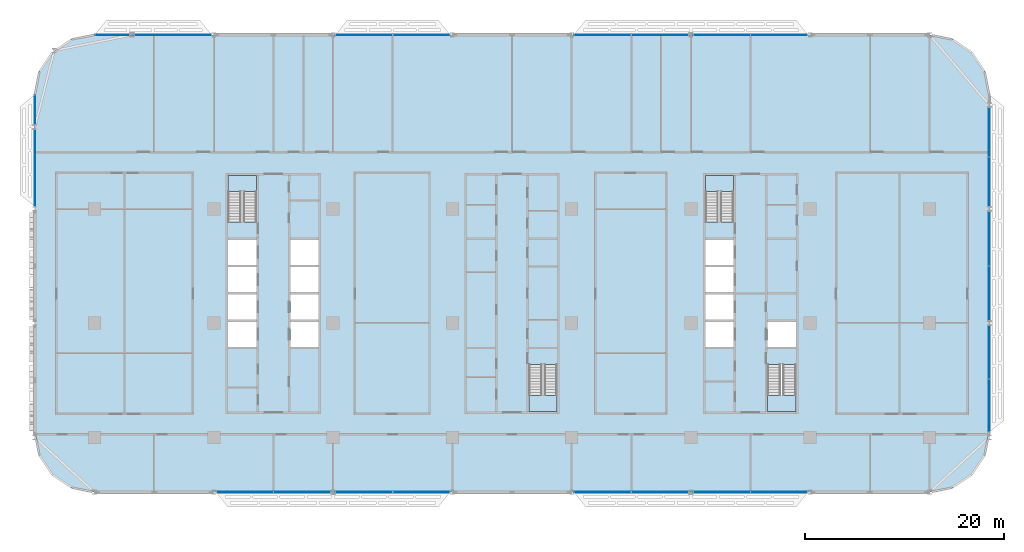
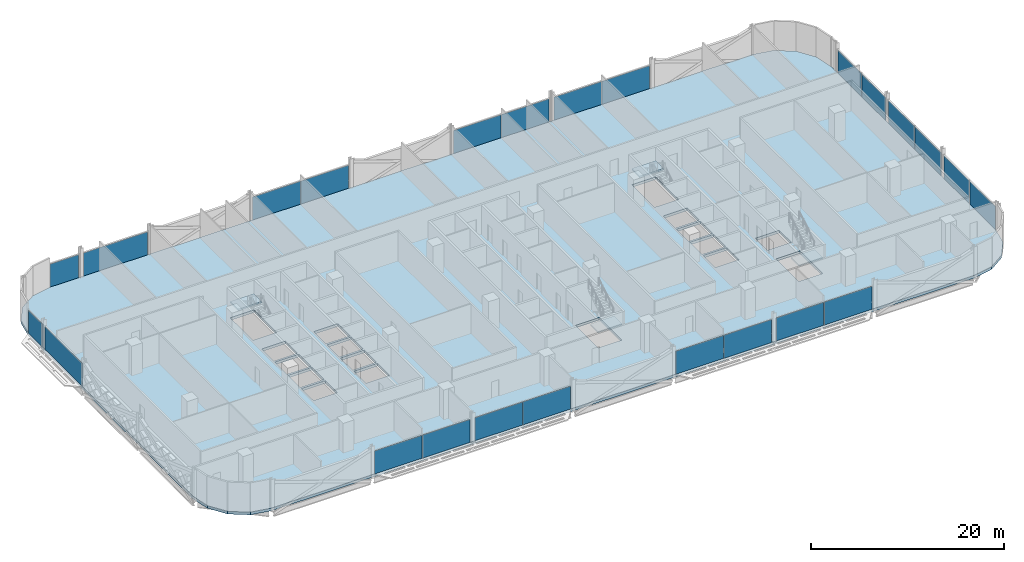
# One storey, part 11 of 28: 24 plates, 5 slabs, 18 elements without a shape of their own.
"""IFC4 building model written with IfcOpenShell, lengths in metres."""

from ifc_helpers import new_model, si_unit, direction, frame, origin, origin_2d, place, context, subcontext, project, spatial, polyline, rectangle, outline, extrude, material, layer, layer_set, type_object, element, aggregate, save


model = new_model("IFC4")

# Units and contexts
model_context = context("Model", 3, precision=1e-05, world=origin(), true_north=direction((0.0, 1.0)))
body_context = subcontext(model_context, "Body", "Model", "MODEL_VIEW")
ifc_project = project(units=[si_unit("LENGTHUNIT", "METRE"), si_unit("AREAUNIT", "SQUARE_METRE"), si_unit("VOLUMEUNIT", "CUBIC_METRE"), si_unit("PLANEANGLEUNIT", "RADIAN"), si_unit("MASSUNIT", "GRAM", prefix="KILO")], contexts=[model_context])

# Site, building, storey
site_placement = place(None, origin())
site = spatial("IfcSite", under=ifc_project, at=site_placement, CompositionType="ELEMENT")
building_placement = place(site_placement, origin())
building = spatial("IfcBuilding", under=site, at=building_placement, Name="Mahtab Terrace Research Tower", CompositionType="ELEMENT")
storey_placement = place(building_placement, frame((0.0, 0.0, 134.300048828125)))
storey = spatial("IfcBuildingStorey", under=building, at=storey_placement, Name="L31", CompositionType="ELEMENT", Elevation=134.300048828125)

# Stair, slab
ifc_material_1 = material(Name="Exit stair half-turn")
stair_type = type_object("IfcStairType", Name="Exit stair half-turn", PredefinedType="HALF_TURN_STAIR", material=ifc_material_1)
stair_1_placement = place(storey_placement, origin())
stair_1 = element("IfcStair", 1, at=stair_1_placement, inside=storey, type_object=stair_type, Name="L31 Protected exit stair ST1", PredefinedType="HALF_TURN_STAIR")
ifc_material_2 = material(Name="Concrete C40/50", Category="concrete")
ifc_layer_1 = layer(ifc_material_2, 0.199951171875)
ifc_layer_set_1 = layer_set([ifc_layer_1], Name="Exit stair landing 200")
slab_type_1 = type_object("IfcSlabType", Name="Exit stair landing 200", PredefinedType="LANDING", material=ifc_layer_set_1)
slab_1_placement = place(storey_placement, frame((0.0, 0.0, 1.849853515625)))
slab_1 = element("IfcSlab", 2, at=slab_1_placement, type_object=slab_type_1, Name="ST1 landing 1", PredefinedType="LANDING", context=body_context, shape_type="SweptSolid", body=[
    extrude(outline(polyline([(-25.699951171875, 13.2548828125), (-25.699951171875, 14.875), (-28.550048828125, 14.875), (-28.550048828125, 13.2548828125), (-25.699951171875, 13.2548828125)])), origin(), (0.0, 0.0, 1.0), 0.2001953125),
])
aggregate(stair_1, [slab_1])

stair_2_placement = place(storey_placement, origin())
stair_2 = element("IfcStair", 3, at=stair_2_placement, inside=storey, type_object=stair_type, Name="L31 Protected exit stair ST2", PredefinedType="HALF_TURN_STAIR")
slab_2_placement = place(storey_placement, frame((0.0, 0.0, 1.849853515625)))
slab_2 = element("IfcSlab", 4, at=slab_2_placement, type_object=slab_type_1, Name="ST2 landing 1", PredefinedType="LANDING", context=body_context, shape_type="SweptSolid", body=[
    extrude(outline(polyline([(1.699951171875, -7.2548828125), (1.699951171875, -8.875), (4.550048828125, -8.875), (4.550048828125, -7.2548828125), (1.699951171875, -7.2548828125)])), origin(), (0.0, 0.0, 1.0), 0.2001953125),
])
aggregate(stair_2, [slab_2])

stair_3_placement = place(storey_placement, origin())
stair_3 = element("IfcStair", 5, at=stair_3_placement, inside=storey, type_object=stair_type, Name="L31 Protected exit stair ST3", PredefinedType="HALF_TURN_STAIR")
slab_3_placement = place(storey_placement, frame((0.0, 0.0, 1.849853515625)))
slab_3 = element("IfcSlab", 6, at=slab_3_placement, type_object=slab_type_1, Name="ST3 landing 1", PredefinedType="LANDING", context=body_context, shape_type="SweptSolid", body=[
    extrude(outline(polyline([(22.300048828125, 13.2548828125), (22.300048828125, 14.875), (19.449951171875, 14.875), (19.449951171875, 13.2548828125), (22.300048828125, 13.2548828125)])), origin(), (0.0, 0.0, 1.0), 0.2001953125),
])
aggregate(stair_3, [slab_3])

stair_4_placement = place(storey_placement, origin())
stair_4 = element("IfcStair", 7, at=stair_4_placement, inside=storey, type_object=stair_type, Name="L31 Protected exit stair ST4", PredefinedType="HALF_TURN_STAIR")
slab_4_placement = place(storey_placement, frame((0.0, 0.0, 1.849853515625)))
slab_4 = element("IfcSlab", 8, at=slab_4_placement, type_object=slab_type_1, Name="ST4 landing 1", PredefinedType="LANDING", context=body_context, shape_type="SweptSolid", body=[
    extrude(outline(polyline([(25.699951171875, -7.2548828125), (25.699951171875, -8.875), (28.550048828125, -8.875), (28.550048828125, -7.2548828125), (25.699951171875, -7.2548828125)])), origin(), (0.0, 0.0, 1.0), 0.2001953125),
])
aggregate(stair_4, [slab_4])

# Curtain wall, plates
ifc_material_3 = material(Name="Laboratory ribbon curtain wall")
curtain_wall_type = type_object("IfcCurtainWallType", Name="Laboratory ribbon curtain wall", PredefinedType="NOTDEFINED", material=ifc_material_3)
curtain_wall_1_placement = place(storey_placement, origin())
curtain_wall_1 = element("IfcCurtainWall", 9, at=curtain_wall_1_placement, inside=storey, type_object=curtain_wall_type, Name="EN.L31.3.4", PredefinedType="NOTDEFINED")
ifc_material_4 = material(Name="Dark glazing", Category="glass")
ifc_layer_2 = layer(ifc_material_4, 0.031982421875)
ifc_layer_set_2 = layer_set([ifc_layer_2], Name="Laboratory ribbon curtain wall glazing panel")
plate_type = type_object("IfcPlateType", Name="Laboratory ribbon curtain wall glazing panel", PredefinedType="CURTAIN_PANEL", material=ifc_layer_set_2)
plate_1_placement = place(storey_placement, frame((26.874755859375, 29.0, 0.0), z_axis=(0.0, 0.0, 1.0), x_axis=(-1.0, 0.0, 0.0)))
plate_1 = element("IfcPlate", 10, at=plate_1_placement, type_object=plate_type, Name="CWL-4 panel 1", PredefinedType="CURTAIN_PANEL", context=body_context, shape_type="SweptSolid", body=[
    extrude(rectangle(XDim=5.6845703125, YDim=0.031982421875, at=origin_2d()), origin(), (0.0, 0.0, 1.0), 2.903076171875),
])
plate_2_placement = place(storey_placement, frame((21.125244140625, 29.0, 0.0), z_axis=(0.0, 0.0, 1.0), x_axis=(-1.0, 0.0, 0.0)))
plate_2 = element("IfcPlate", 11, at=plate_2_placement, type_object=plate_type, Name="CWL-4 panel 2", PredefinedType="CURTAIN_PANEL", context=body_context, shape_type="SweptSolid", body=[
    extrude(rectangle(XDim=5.6845703125, YDim=0.031982421875, at=origin_2d()), origin(), (0.0, 0.0, 1.0), 2.903076171875),
])
aggregate(curtain_wall_1, [plate_1, plate_2])

curtain_wall_2_placement = place(storey_placement, origin())
curtain_wall_2 = element("IfcCurtainWall", 12, at=curtain_wall_2_placement, inside=storey, type_object=curtain_wall_type, Name="EN.L31.3.5", PredefinedType="NOTDEFINED")
plate_3_placement = place(storey_placement, frame((14.874755859375, 29.0, 0.0), z_axis=(0.0, 0.0, 1.0), x_axis=(-1.0, 0.0, 0.0)))
plate_3 = element("IfcPlate", 13, at=plate_3_placement, type_object=plate_type, Name="CWL-4 panel 1", PredefinedType="CURTAIN_PANEL", context=body_context, shape_type="SweptSolid", body=[
    extrude(rectangle(XDim=5.6845703125, YDim=0.031982421875, at=origin_2d()), origin(), (0.0, 0.0, 1.0), 2.903076171875),
])
plate_4_placement = place(storey_placement, frame((9.125244140625, 29.0, 0.0), z_axis=(0.0, 0.0, 1.0), x_axis=(-1.0, 0.0, 0.0)))
plate_4 = element("IfcPlate", 14, at=plate_4_placement, type_object=plate_type, Name="CWL-4 panel 2", PredefinedType="CURTAIN_PANEL", context=body_context, shape_type="SweptSolid", body=[
    extrude(rectangle(XDim=5.6845703125, YDim=0.031982421875, at=origin_2d()), origin(), (0.0, 0.0, 1.0), 2.903076171875),
])
aggregate(curtain_wall_2, [plate_3, plate_4])

curtain_wall_3_placement = place(storey_placement, origin())
curtain_wall_3 = element("IfcCurtainWall", 15, at=curtain_wall_3_placement, inside=storey, type_object=curtain_wall_type, Name="EN.L31.3.7", PredefinedType="NOTDEFINED")
plate_5_placement = place(storey_placement, frame((-9.125244140625, 29.0, 0.0), z_axis=(0.0, 0.0, 1.0), x_axis=(-1.0, 0.0, 0.0)))
plate_5 = element("IfcPlate", 16, at=plate_5_placement, type_object=plate_type, Name="CWL-4 panel 1", PredefinedType="CURTAIN_PANEL", context=body_context, shape_type="SweptSolid", body=[
    extrude(rectangle(XDim=5.6845703125, YDim=0.031982421875, at=origin_2d()), origin(), (0.0, 0.0, 1.0), 2.903076171875),
])
plate_6_placement = place(storey_placement, frame((-14.874755859375, 29.0, 0.0), z_axis=(0.0, 0.0, 1.0), x_axis=(-1.0, 0.0, 0.0)))
plate_6 = element("IfcPlate", 17, at=plate_6_placement, type_object=plate_type, Name="CWL-4 panel 2", PredefinedType="CURTAIN_PANEL", context=body_context, shape_type="SweptSolid", body=[
    extrude(rectangle(XDim=5.6845703125, YDim=0.031982421875, at=origin_2d()), origin(), (0.0, 0.0, 1.0), 2.903076171875),
])
aggregate(curtain_wall_3, [plate_5, plate_6])

# Curtain wall, plate
curtain_wall_4_placement = place(storey_placement, origin())
curtain_wall_4 = element("IfcCurtainWall", 18, at=curtain_wall_4_placement, inside=storey, type_object=curtain_wall_type, Name="EN.L31.3.9", PredefinedType="NOTDEFINED")
plate_7_placement = place(storey_placement, frame((-34.115478515625, 29.0, 0.0), z_axis=(0.0, 0.0, 1.0), x_axis=(-1.0, 0.0, 0.0)))
plate_7 = element("IfcPlate", 19, at=plate_7_placement, type_object=plate_type, Name="CWL-4 panel 1", PredefinedType="CURTAIN_PANEL", context=body_context, shape_type="SweptSolid", body=[
    extrude(rectangle(XDim=7.6650390625, YDim=0.031982421875, at=origin_2d()), origin(), (0.0, 0.0, 1.0), 2.903076171875),
])
aggregate(curtain_wall_4, [plate_7])

curtain_wall_5_placement = place(storey_placement, origin())
curtain_wall_5 = element("IfcCurtainWall", 20, at=curtain_wall_5_placement, inside=storey, type_object=curtain_wall_type, Name="EN.L31.3.10", PredefinedType="NOTDEFINED")
plate_8_placement = place(storey_placement, frame((-40.224609375, 29.0, 0.0), z_axis=(0.0, 0.0, 1.0), x_axis=(-1.0, 0.0, 0.0)))
plate_8 = element("IfcPlate", 21, at=plate_8_placement, type_object=plate_type, Name="CWL-4 panel 1", PredefinedType="CURTAIN_PANEL", context=body_context, shape_type="SweptSolid", body=[
    extrude(rectangle(XDim=3.4208984375, YDim=0.031982421875, at=origin_2d()), origin(), (0.0, 0.0, 1.0), 2.903076171875),
])
aggregate(curtain_wall_5, [plate_8])

curtain_wall_6_placement = place(storey_placement, origin())
curtain_wall_6 = element("IfcCurtainWall", 22, at=curtain_wall_6_placement, inside=storey, type_object=curtain_wall_type, Name="EN.L31.8.15", PredefinedType="NOTDEFINED")
plate_9_placement = place(storey_placement, frame((-48.0, 21.474609375, 0.0), z_axis=(0.0, 0.0, 1.0), x_axis=(0.0, -1.0, 0.0)))
plate_9 = element("IfcPlate", 23, at=plate_9_placement, type_object=plate_type, Name="CWL-4 panel 1", PredefinedType="CURTAIN_PANEL", context=body_context, shape_type="SweptSolid", body=[
    extrude(rectangle(XDim=2.9208984375, YDim=0.031982421875, at=origin_2d()), origin(), (0.0, 0.0, 1.0), 2.903076171875),
])
aggregate(curtain_wall_6, [plate_9])

curtain_wall_7_placement = place(storey_placement, origin())
curtain_wall_7 = element("IfcCurtainWall", 24, at=curtain_wall_7_placement, inside=storey, type_object=curtain_wall_type, Name="EN.L31.8.16", PredefinedType="NOTDEFINED")
plate_10_placement = place(storey_placement, frame((-48.0, 15.615478515625, 0.0), z_axis=(0.0, 0.0, 1.0), x_axis=(0.0, -1.0, 0.0)))
plate_10 = element("IfcPlate", 25, at=plate_10_placement, type_object=plate_type, Name="CWL-4 panel 1", PredefinedType="CURTAIN_PANEL", context=body_context, shape_type="SweptSolid", body=[
    extrude(rectangle(XDim=7.6650390625, YDim=0.031982421875, at=origin_2d()), origin(), (0.0, 0.0, 1.0), 2.903076171875),
])
aggregate(curtain_wall_7, [plate_10])

# Curtain wall, plates
curtain_wall_8_placement = place(storey_placement, origin())
curtain_wall_8 = element("IfcCurtainWall", 26, at=curtain_wall_8_placement, inside=storey, type_object=curtain_wall_type, Name="EN.L31.13.25", PredefinedType="NOTDEFINED")
plate_11_placement = place(storey_placement, frame((-26.874755859375, -17.0, 0.0), z_axis=(0.0, 0.0, 1.0), x_axis=(1.0, 0.0, 0.0)))
plate_11 = element("IfcPlate", 27, at=plate_11_placement, type_object=plate_type, Name="CWL-4 panel 1", PredefinedType="CURTAIN_PANEL", context=body_context, shape_type="SweptSolid", body=[
    extrude(rectangle(XDim=5.6845703125, YDim=0.031982421875, at=origin_2d()), origin(), (0.0, 0.0, 1.0), 2.903076171875),
])
plate_12_placement = place(storey_placement, frame((-21.125244140625, -17.0, 0.0), z_axis=(0.0, 0.0, 1.0), x_axis=(1.0, 0.0, 0.0)))
plate_12 = element("IfcPlate", 28, at=plate_12_placement, type_object=plate_type, Name="CWL-4 panel 2", PredefinedType="CURTAIN_PANEL", context=body_context, shape_type="SweptSolid", body=[
    extrude(rectangle(XDim=5.6845703125, YDim=0.031982421875, at=origin_2d()), origin(), (0.0, 0.0, 1.0), 2.903076171875),
])
aggregate(curtain_wall_8, [plate_11, plate_12])

curtain_wall_9_placement = place(storey_placement, origin())
curtain_wall_9 = element("IfcCurtainWall", 29, at=curtain_wall_9_placement, inside=storey, type_object=curtain_wall_type, Name="EN.L31.13.26", PredefinedType="NOTDEFINED")
plate_13_placement = place(storey_placement, frame((-14.874755859375, -17.0, 0.0), z_axis=(0.0, 0.0, 1.0), x_axis=(1.0, 0.0, 0.0)))
plate_13 = element("IfcPlate", 30, at=plate_13_placement, type_object=plate_type, Name="CWL-4 panel 1", PredefinedType="CURTAIN_PANEL", context=body_context, shape_type="SweptSolid", body=[
    extrude(rectangle(XDim=5.6845703125, YDim=0.031982421875, at=origin_2d()), origin(), (0.0, 0.0, 1.0), 2.903076171875),
])
plate_14_placement = place(storey_placement, frame((-9.125244140625, -17.0, 0.0), z_axis=(0.0, 0.0, 1.0), x_axis=(1.0, 0.0, 0.0)))
plate_14 = element("IfcPlate", 31, at=plate_14_placement, type_object=plate_type, Name="CWL-4 panel 2", PredefinedType="CURTAIN_PANEL", context=body_context, shape_type="SweptSolid", body=[
    extrude(rectangle(XDim=5.6845703125, YDim=0.031982421875, at=origin_2d()), origin(), (0.0, 0.0, 1.0), 2.903076171875),
])
aggregate(curtain_wall_9, [plate_13, plate_14])

curtain_wall_10_placement = place(storey_placement, origin())
curtain_wall_10 = element("IfcCurtainWall", 32, at=curtain_wall_10_placement, inside=storey, type_object=curtain_wall_type, Name="EN.L31.13.28", PredefinedType="NOTDEFINED")
plate_15_placement = place(storey_placement, frame((9.125244140625, -17.0, 0.0), z_axis=(0.0, 0.0, 1.0), x_axis=(1.0, 0.0, 0.0)))
plate_15 = element("IfcPlate", 33, at=plate_15_placement, type_object=plate_type, Name="CWL-4 panel 1", PredefinedType="CURTAIN_PANEL", context=body_context, shape_type="SweptSolid", body=[
    extrude(rectangle(XDim=5.6845703125, YDim=0.031982421875, at=origin_2d()), origin(), (0.0, 0.0, 1.0), 2.903076171875),
])
plate_16_placement = place(storey_placement, frame((14.874755859375, -17.0, 0.0), z_axis=(0.0, 0.0, 1.0), x_axis=(1.0, 0.0, 0.0)))
plate_16 = element("IfcPlate", 34, at=plate_16_placement, type_object=plate_type, Name="CWL-4 panel 2", PredefinedType="CURTAIN_PANEL", context=body_context, shape_type="SweptSolid", body=[
    extrude(rectangle(XDim=5.6845703125, YDim=0.031982421875, at=origin_2d()), origin(), (0.0, 0.0, 1.0), 2.903076171875),
])
aggregate(curtain_wall_10, [plate_15, plate_16])

curtain_wall_11_placement = place(storey_placement, origin())
curtain_wall_11 = element("IfcCurtainWall", 35, at=curtain_wall_11_placement, inside=storey, type_object=curtain_wall_type, Name="EN.L31.13.29", PredefinedType="NOTDEFINED")
plate_17_placement = place(storey_placement, frame((21.125244140625, -17.0, 0.0), z_axis=(0.0, 0.0, 1.0), x_axis=(1.0, 0.0, 0.0)))
plate_17 = element("IfcPlate", 36, at=plate_17_placement, type_object=plate_type, Name="CWL-4 panel 1", PredefinedType="CURTAIN_PANEL", context=body_context, shape_type="SweptSolid", body=[
    extrude(rectangle(XDim=5.6845703125, YDim=0.031982421875, at=origin_2d()), origin(), (0.0, 0.0, 1.0), 2.903076171875),
])
plate_18_placement = place(storey_placement, frame((26.874755859375, -17.0, 0.0), z_axis=(0.0, 0.0, 1.0), x_axis=(1.0, 0.0, 0.0)))
plate_18 = element("IfcPlate", 37, at=plate_18_placement, type_object=plate_type, Name="CWL-4 panel 2", PredefinedType="CURTAIN_PANEL", context=body_context, shape_type="SweptSolid", body=[
    extrude(rectangle(XDim=5.6845703125, YDim=0.031982421875, at=origin_2d()), origin(), (0.0, 0.0, 1.0), 2.903076171875),
])
aggregate(curtain_wall_11, [plate_17, plate_18])

curtain_wall_12_placement = place(storey_placement, origin())
curtain_wall_12 = element("IfcCurtainWall", 38, at=curtain_wall_12_placement, inside=storey, type_object=curtain_wall_type, Name="EN.L31.18.36", PredefinedType="NOTDEFINED")
plate_19_placement = place(storey_placement, frame((48.0, -8.288330078125, 0.0), z_axis=(0.0, 0.0, 1.0), x_axis=(0.0, 1.0, 0.0)))
plate_19 = element("IfcPlate", 39, at=plate_19_placement, type_object=plate_type, Name="CWL-4 panel 1", PredefinedType="CURTAIN_PANEL", context=body_context, shape_type="SweptSolid", body=[
    extrude(rectangle(XDim=5.29345703125, YDim=0.031982421875, at=origin_2d()), origin(), (0.0, 0.0, 1.0), 2.903076171875),
])
plate_20_placement = place(storey_placement, frame((48.0, -2.9296875, 0.0), z_axis=(0.0, 0.0, 1.0), x_axis=(0.0, 1.0, 0.0)))
plate_20 = element("IfcPlate", 40, at=plate_20_placement, type_object=plate_type, Name="CWL-4 panel 2", PredefinedType="CURTAIN_PANEL", context=body_context, shape_type="SweptSolid", body=[
    extrude(rectangle(XDim=5.29345703125, YDim=0.031982421875, at=origin_2d()), origin(), (0.0, 0.0, 1.0), 2.903076171875),
])
aggregate(curtain_wall_12, [plate_19, plate_20])

curtain_wall_13_placement = place(storey_placement, origin())
curtain_wall_13 = element("IfcCurtainWall", 41, at=curtain_wall_13_placement, inside=storey, type_object=curtain_wall_type, Name="EN.L31.18.37", PredefinedType="NOTDEFINED")
plate_21_placement = place(storey_placement, frame((48.0, 3.000244140625, 0.0), z_axis=(0.0, 0.0, 1.0), x_axis=(0.0, 1.0, 0.0)))
plate_21 = element("IfcPlate", 42, at=plate_21_placement, type_object=plate_type, Name="CWL-4 panel 1", PredefinedType="CURTAIN_PANEL", context=body_context, shape_type="SweptSolid", body=[
    extrude(rectangle(XDim=5.4345703125, YDim=0.031982421875, at=origin_2d()), origin(), (0.0, 0.0, 1.0), 2.903076171875),
])
plate_22_placement = place(storey_placement, frame((48.0, 8.499755859375, 0.0), z_axis=(0.0, 0.0, 1.0), x_axis=(0.0, 1.0, 0.0)))
plate_22 = element("IfcPlate", 43, at=plate_22_placement, type_object=plate_type, Name="CWL-4 panel 2", PredefinedType="CURTAIN_PANEL", context=body_context, shape_type="SweptSolid", body=[
    extrude(rectangle(XDim=5.4345703125, YDim=0.031982421875, at=origin_2d()), origin(), (0.0, 0.0, 1.0), 2.903076171875),
])
aggregate(curtain_wall_13, [plate_21, plate_22])

curtain_wall_14_placement = place(storey_placement, origin())
curtain_wall_14 = element("IfcCurtainWall", 44, at=curtain_wall_14_placement, inside=storey, type_object=curtain_wall_type, Name="EN.L31.18.38", PredefinedType="NOTDEFINED")
plate_23_placement = place(storey_placement, frame((48.0, 14.24072265625, 0.0), z_axis=(0.0, 0.0, 1.0), x_axis=(0.0, 1.0, 0.0)))
plate_23 = element("IfcPlate", 45, at=plate_23_placement, type_object=plate_type, Name="CWL-4 panel 1", PredefinedType="CURTAIN_PANEL", context=body_context, shape_type="SweptSolid", body=[
    extrude(rectangle(XDim=4.91552734375, YDim=0.031982421875, at=origin_2d()), origin(), (0.0, 0.0, 1.0), 2.903076171875),
])
plate_24_placement = place(storey_placement, frame((48.0, 19.22119140625, 0.0), z_axis=(0.0, 0.0, 1.0), x_axis=(0.0, 1.0, 0.0)))
plate_24 = element("IfcPlate", 46, at=plate_24_placement, type_object=plate_type, Name="CWL-4 panel 2", PredefinedType="CURTAIN_PANEL", context=body_context, shape_type="SweptSolid", body=[
    extrude(rectangle(XDim=4.91552734375, YDim=0.031982421875, at=origin_2d()), origin(), (0.0, 0.0, 1.0), 2.903076171875),
])
aggregate(curtain_wall_14, [plate_23, plate_24])

# Slab
ifc_layer_3 = layer(ifc_material_2, 0.340087890625)
ifc_layer_set_3 = layer_set([ifc_layer_3], Name="PT flat slab 340")
slab_type_2 = type_object("IfcSlabType", Name="PT flat slab 340", PredefinedType="FLOOR", material=ifc_layer_set_3)
slab_5_placement = place(storey_placement, frame((0.0, 0.0, -0.340087890625)))
element("IfcSlab", 47, at=slab_5_placement, inside=storey, type_object=slab_type_2, Name="Floor slab L31", PredefinedType="FLOOR", context=body_context, shape_type="SweptSolid", body=[
    extrude(outline(polyline([(47.54296875, 25.2958984375), (46.242919921875, 27.242919921875), (44.2958984375, 28.54296875), (42.0, 29.0), (-42.0, 29.0), (-44.2958984375, 28.54296875), (-46.242919921875, 27.242919921875), (-47.54296875, 25.2958984375), (-48.0, 23.0), (-48.0, -11.0), (-47.54296875, -13.2958984375), (-46.242919921875, -15.242919921875), (-44.2958984375, -16.54296875), (-42.0, -17.0), (42.0, -17.0), (44.2958984375, -16.54296875), (46.242919921875, -15.242919921875), (47.54296875, -13.2958984375), (48.0, -11.0), (48.0, 23.0), (47.54296875, 25.2958984375)]), holes=[polyline([(-28.550048828125, -2.375), (-28.550048828125, 0.125), (-25.699951171875, 0.125), (-25.699951171875, -2.375), (-28.550048828125, -2.375)]), polyline([(-22.300048828125, -2.375), (-22.300048828125, 0.125), (-19.449951171875, 0.125), (-19.449951171875, -2.375), (-22.300048828125, -2.375)]), polyline([(-28.550048828125, 0.375), (-28.550048828125, 2.875), (-25.699951171875, 2.875), (-25.699951171875, 0.375), (-28.550048828125, 0.375)]), polyline([(-22.300048828125, 0.375), (-22.300048828125, 2.875), (-19.449951171875, 2.875), (-19.449951171875, 0.375), (-22.300048828125, 0.375)]), polyline([(-28.550048828125, 3.125), (-28.550048828125, 5.625), (-25.699951171875, 5.625), (-25.699951171875, 3.125), (-28.550048828125, 3.125)]), polyline([(-22.300048828125, 3.125), (-22.300048828125, 5.625), (-19.449951171875, 5.625), (-19.449951171875, 3.125), (-22.300048828125, 3.125)]), polyline([(-28.550048828125, 5.875), (-28.550048828125, 8.375), (-25.699951171875, 8.375), (-25.699951171875, 5.875), (-28.550048828125, 5.875)]), polyline([(-22.300048828125, 5.875), (-22.300048828125, 8.375), (-19.449951171875, 8.375), (-19.449951171875, 5.875), (-22.300048828125, 5.875)]), polyline([(-28.550048828125, 10.177001953125), (-28.550048828125, 14.875), (-25.699951171875, 14.875), (-25.699951171875, 10.177001953125), (-28.550048828125, 10.177001953125)]), polyline([(1.699951171875, -8.875), (1.699951171875, -4.177001953125), (4.550048828125, -4.177001953125), (4.550048828125, -8.875), (1.699951171875, -8.875)]), polyline([(25.699951171875, -8.875), (25.699951171875, -4.177001953125), (28.550048828125, -4.177001953125), (28.550048828125, -8.875), (25.699951171875, -8.875)]), polyline([(19.449951171875, -2.375), (19.449951171875, 0.125), (22.300048828125, 0.125), (22.300048828125, -2.375), (19.449951171875, -2.375)]), polyline([(25.699951171875, -2.375), (25.699951171875, 0.125), (28.550048828125, 0.125), (28.550048828125, -2.375), (25.699951171875, -2.375)]), polyline([(19.449951171875, 0.375), (19.449951171875, 2.875), (22.300048828125, 2.875), (22.300048828125, 0.375), (19.449951171875, 0.375)]), polyline([(19.449951171875, 3.125), (19.449951171875, 5.625), (22.300048828125, 5.625), (22.300048828125, 3.125), (19.449951171875, 3.125)]), polyline([(19.449951171875, 8.375), (22.300048828125, 8.375), (22.300048828125, 5.875), (19.449951171875, 5.875), (19.449951171875, 8.375)]), polyline([(19.449951171875, 14.875), (22.300048828125, 14.875), (22.300048828125, 10.177001953125), (19.449951171875, 10.177001953125), (19.449951171875, 14.875)])]), origin(), (0.0, 0.0, 1.0), 0.340087890625),
])

save(model, "model.ifc")
